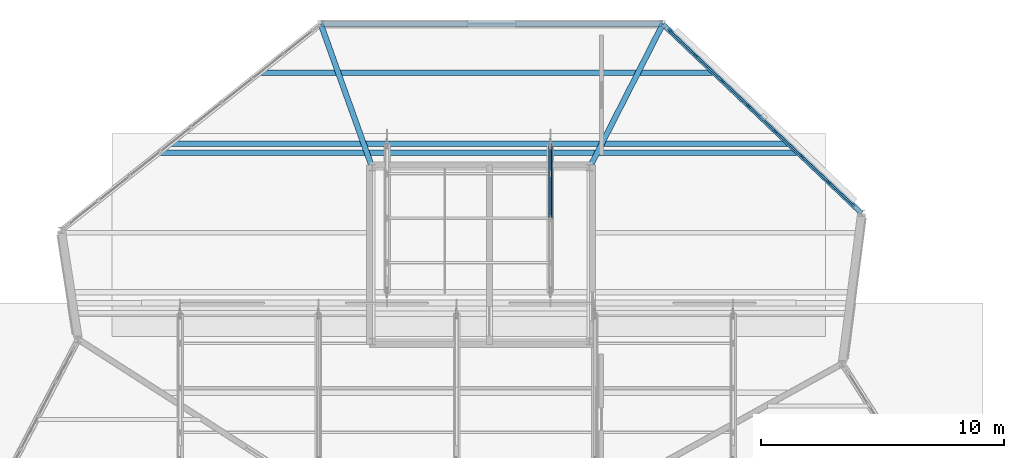
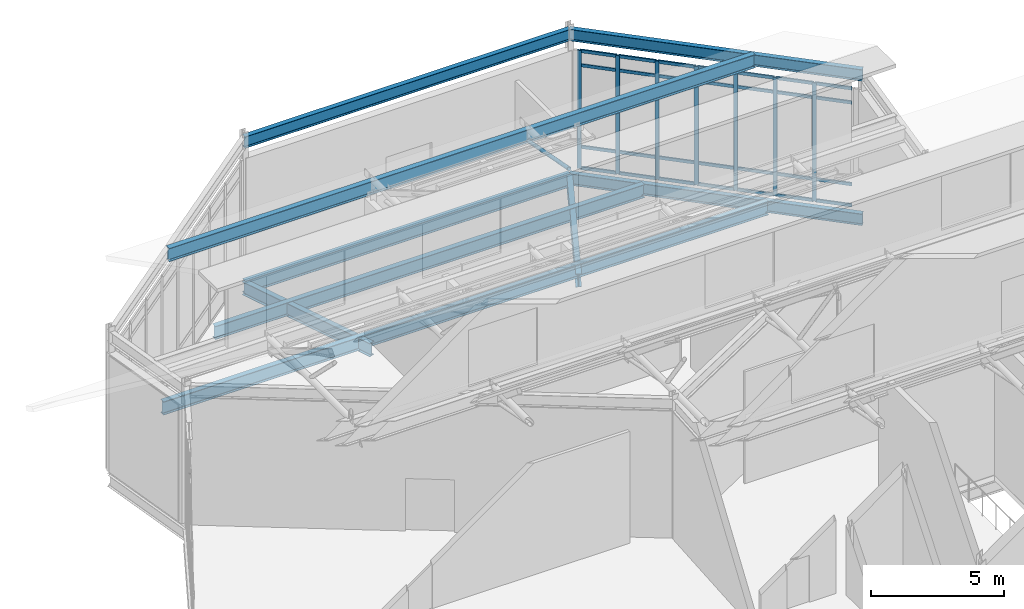
# One storey, part 37 of 55: 36 members, 9 beams, 1 element without a shape of its own.
"""IFC4 building model written with IfcOpenShell, lengths in metres."""

from ifc_helpers import new_model, si_unit, direction, frame, origin, origin_2d, place, context, subcontext, project, spatial, rectangle, hollow_circle, i_section, extrude, material, material_profile, profile_set, type_object, element, aggregate, save


model = new_model("IFC4")

# Units and contexts
model_context = context("Model", 3, precision=1e-05, world=origin(), true_north=direction((0.0, 1.0)))
body_context = subcontext(model_context, "Body", "Model", "MODEL_VIEW")
ifc_project = project(units=[si_unit("LENGTHUNIT", "METRE"), si_unit("AREAUNIT", "SQUARE_METRE"), si_unit("VOLUMEUNIT", "CUBIC_METRE"), si_unit("PLANEANGLEUNIT", "RADIAN"), si_unit("MASSUNIT", "GRAM", prefix="KILO")], contexts=[model_context])

# Site, building, storey
site_placement = place(None, origin())
site = spatial("IfcSite", under=ifc_project, at=site_placement, CompositionType="ELEMENT")
building_placement = place(site_placement, origin())
building = spatial("IfcBuilding", under=site, at=building_placement, Name="Tameran Prism Museum", CompositionType="ELEMENT")
storey_placement = place(building_placement, frame((0.0, 0.0, 28.800048828125)))
storey = spatial("IfcBuildingStorey", under=building, at=storey_placement, Name="L05", CompositionType="ELEMENT", Elevation=28.800048828125)

# Beams
ifc_material_1 = material(Name="Steel Grade 300PLUS (300 MPa)", Category="steel")
ifc_material_profile_1 = material_profile(ifc_material_1, i_section(OverallWidth=0.208984375, OverallDepth=0.532958984375, WebThickness=0.01025390625, FlangeThickness=0.015625, FilletRadius=0.013916015625, at=origin_2d()))
ifc_profile_set_1 = profile_set([ifc_material_profile_1])
beam_type_1 = type_object("IfcBeamType", Name="BM-SP530A", PredefinedType="SPANDREL", material=ifc_profile_set_1)
beam_1_placement = place(storey_placement, frame((135.699951171875, 104.199951171875, -0.506591796875), z_axis=(-0.724553857676, 0.689218185575, 0.0), x_axis=(-0.689218185575, -0.724553857676, 0.0)))
element("IfcBeam", 1, at=beam_1_placement, inside=storey, type_object=beam_type_1, Name="Perimeter Spandrel SP-1262", PredefinedType="SPANDREL", context=body_context, shape_type="SweptSolid", body=[
    extrude(i_section(OverallWidth=0.208984375, OverallDepth=0.532958984375, WebThickness=0.01025390625, FlangeThickness=0.015625, FilletRadius=0.013916015625, at=origin_2d()), origin(), (0.0, 0.0, 1.0), 11.317138671875),
])
ifc_material_2 = material(Name="Steel Grade 300PLUS (300 MPa)", Category="steel")
ifc_material_profile_2 = material_profile(ifc_material_2, i_section(OverallWidth=0.208984375, OverallDepth=0.528076171875, WebThickness=0.009521484375, FlangeThickness=0.01318359375, FilletRadius=0.013916015625, at=origin_2d()))
ifc_profile_set_2 = profile_set([ifc_material_profile_2])
beam_type_2 = type_object("IfcBeamType", Name="BM-SP530B", PredefinedType="SPANDREL", material=ifc_profile_set_2)
beam_2_placement = place(storey_placement, frame((135.699951171875, 104.199951171875, 6.10595703125), z_axis=(-0.724553857676, 0.689218185575, 0.0), x_axis=(-0.689218185575, -0.724553857676, 0.0)))
element("IfcBeam", 2, at=beam_2_placement, inside=storey, type_object=beam_type_2, Name="Roof Ring Beam RB-1267", PredefinedType="SPANDREL", context=body_context, shape_type="SweptSolid", body=[
    extrude(i_section(OverallWidth=0.208984375, OverallDepth=0.528076171875, WebThickness=0.009521484375, FlangeThickness=0.01318359375, FilletRadius=0.013916015625, at=origin_2d()), origin(), (0.0, 0.0, 1.0), 11.317138671875),
])
beam_3_placement = place(storey_placement, frame((127.5, 112.0, 6.10595703125), z_axis=(-1.0, 0.0, 0.0), x_axis=(0.0, -1.0, 0.0)))
element("IfcBeam", 3, at=beam_3_placement, inside=storey, type_object=beam_type_2, Name="Roof Ring Beam RB-1268", PredefinedType="SPANDREL", context=body_context, shape_type="SweptSolid", body=[
    extrude(i_section(OverallWidth=0.208984375, OverallDepth=0.528076171875, WebThickness=0.009521484375, FlangeThickness=0.01318359375, FilletRadius=0.013916015625, at=origin_2d()), origin(), (0.0, 0.0, 1.0), 14.10009765625),
])
ifc_material_3 = material(Name="Steel Grade 300PLUS (300 MPa)", Category="steel")
ifc_material_profile_3 = material_profile(ifc_material_3, i_section(OverallWidth=0.22802734375, OverallDepth=0.60205078125, WebThickness=0.010498046875, FlangeThickness=0.014892578125, FilletRadius=0.013916015625, at=origin_2d()))
ifc_profile_set_3 = profile_set([ifc_material_profile_3])
beam_type_3 = type_object("IfcBeamType", Name="BM-SP610", PredefinedType="SPANDREL", material=ifc_profile_set_3)
beam_4_placement = place(storey_placement, frame((127.5, 112.0, -0.541015625), z_axis=(-1.0, 0.0, 0.0), x_axis=(0.0, -1.0, 0.0)))
element("IfcBeam", 4, at=beam_4_placement, inside=storey, type_object=beam_type_3, Name="Perimeter Spandrel SP-1263", PredefinedType="SPANDREL", context=body_context, shape_type="SweptSolid", body=[
    extrude(i_section(OverallWidth=0.22802734375, OverallDepth=0.60205078125, WebThickness=0.010498046875, FlangeThickness=0.014892578125, FilletRadius=0.013916015625, at=origin_2d()), origin(), (0.0, 0.0, 1.0), 14.10009765625),
])
ifc_material_4 = material(Name="Steel Grade 300PLUS (300 MPa)", Category="steel")
ifc_material_profile_4 = material_profile(ifc_material_4, i_section(OverallWidth=0.22900390625, OverallDepth=0.612060546875, WebThickness=0.011962890625, FlangeThickness=0.01953125, FilletRadius=0.013916015625, at=origin_2d()))
ifc_profile_set_4 = profile_set([ifc_material_profile_4])
beam_type_4 = type_object("IfcBeamType", Name="BM-UB610A", PredefinedType="BEAM", material=ifc_profile_set_4)
beam_5_placement = place(storey_placement, frame((107.24609375, 107.06005859375, 6.10595703125), z_axis=(1.0, 0.0, 0.0), x_axis=(0.0, 1.0, 0.0)))
element("IfcBeam", 5, at=beam_5_placement, inside=storey, type_object=beam_type_4, Name="Sawtooth Support Girder SRG-029", PredefinedType="BEAM", context=body_context, shape_type="SweptSolid", body=[
    extrude(i_section(OverallWidth=0.22900390625, OverallDepth=0.612060546875, WebThickness=0.011962890625, FlangeThickness=0.01953125, FilletRadius=0.013916015625, at=origin_2d()), origin(), (0.0, 0.0, 1.0), 25.388916015625),
])
beam_6_placement = place(storey_placement, frame((124.47998046875, 106.080078125, -0.56005859375), z_axis=(0.454428700182, 0.890783114148, 0.0), x_axis=(-0.890783114148, 0.454428700182, 0.0)))
element("IfcBeam", 6, at=beam_6_placement, inside=storey, type_object=beam_type_4, Name="Frame Tie Girder FG-1403", PredefinedType="BEAM", context=body_context, shape_type="SweptSolid", body=[
    extrude(i_section(OverallWidth=0.22900390625, OverallDepth=0.612060546875, WebThickness=0.011962890625, FlangeThickness=0.01953125, FilletRadius=0.013916015625, at=origin_2d()), origin(), (0.0, 0.0, 1.0), 6.645751953125),
])
beam_7_placement = place(storey_placement, frame((115.52001953125, 106.080078125, -0.56005859375), z_axis=(-0.337162675886, 0.941446403142, 0.0), x_axis=(-0.941446403142, -0.337162675886, 0.0)))
element("IfcBeam", 7, at=beam_7_placement, inside=storey, type_object=beam_type_4, Name="Frame Tie Girder FG-1409", PredefinedType="BEAM", context=body_context, shape_type="SweptSolid", body=[
    extrude(i_section(OverallWidth=0.22900390625, OverallDepth=0.612060546875, WebThickness=0.011962890625, FlangeThickness=0.01953125, FilletRadius=0.013916015625, at=origin_2d()), origin(), (0.0, 0.0, 1.0), 6.2880859375),
])
ifc_material_5 = material(Name="Steel Grade 300PLUS (300 MPa)", Category="steel")
ifc_material_profile_5 = material_profile(ifc_material_5, i_section(OverallWidth=0.22802734375, OverallDepth=0.60693359375, WebThickness=0.01123046875, FlangeThickness=0.017333984375, FilletRadius=0.013916015625, at=origin_2d()))
ifc_profile_set_5 = profile_set([ifc_material_profile_5])
beam_type_5 = type_object("IfcBeamType", Name="BM-UB610B", PredefinedType="BEAM", material=ifc_profile_set_5)
beam_8_placement = place(storey_placement, frame((106.79296875, 106.699951171875, -0.54345703125), z_axis=(1.0, 0.0, 0.0), x_axis=(0.0, 1.0, 0.0)))
element("IfcBeam", 8, at=beam_8_placement, inside=storey, type_object=beam_type_5, Name="Floor Beam BM-1313", PredefinedType="BEAM", context=body_context, shape_type="SweptSolid", body=[
    extrude(i_section(OverallWidth=0.22802734375, OverallDepth=0.60693359375, WebThickness=0.01123046875, FlangeThickness=0.017333984375, FilletRadius=0.013916015625, at=origin_2d()), origin(), (0.0, 0.0, 1.0), 26.220947265625),
])
beam_9_placement = place(storey_placement, frame((110.947021484375, 110.0, -0.54345703125), z_axis=(1.0, 0.0, 0.0), x_axis=(0.0, 1.0, 0.0)))
element("IfcBeam", 9, at=beam_9_placement, inside=storey, type_object=beam_type_5, Name="Floor Beam BM-1314", PredefinedType="BEAM", context=body_context, shape_type="SweptSolid", body=[
    extrude(i_section(OverallWidth=0.22802734375, OverallDepth=0.60693359375, WebThickness=0.01123046875, FlangeThickness=0.017333984375, FilletRadius=0.013916015625, at=origin_2d()), origin(), (0.0, 0.0, 1.0), 18.597900390625),
])

# Curtain wall, members
ifc_material_6 = material(Name="Anodised Aluminium 6063-T6 and Cyclone Solar Glass", Category="aluminium")
curtain_wall_type = type_object("IfcCurtainWallType", Name="CW-FAC-1062x542", PredefinedType="USERDEFINED", material=ifc_material_6)
curtain_wall_placement = place(storey_placement, origin())
curtain_wall = element("IfcCurtainWall", 10, at=curtain_wall_placement, inside=storey, type_object=curtain_wall_type, Name="Unitised Curtain Wall CW-167", ObjectType="UNITISED CURTAIN WALL", PredefinedType="USERDEFINED")
ifc_material_7 = material(Name="Anodised Aluminium Alloy 6063-T6", Category="aluminium")
ifc_material_profile_6 = material_profile(ifc_material_7, rectangle(XDim=0.06494140625, YDim=0.159912109375, at=origin_2d()))
ifc_profile_set_6 = profile_set([ifc_material_profile_6])
member_type_1 = type_object("IfcMemberType", Name="CW-MUL-A", PredefinedType="MULLION", material=ifc_profile_set_6)
member_1_placement = place(storey_placement, frame((127.777587890625, 111.736572265625, 0.0), z_axis=(0.0, 0.0, 1.0), x_axis=(0.689274065662, 0.724500698692, 0.0)))
member_1 = element("IfcMember", 11, at=member_1_placement, type_object=member_type_1, Name="CW-167 mullion 1", PredefinedType="MULLION", context=body_context, shape_type="SweptSolid", body=[
    extrude(rectangle(XDim=0.06494140625, YDim=0.159912109375, at=origin_2d()), origin(), (0.0, 0.0, 1.0), 5.419921875),
])
member_2_placement = place(storey_placement, frame((128.852783203125, 110.713623046875, 0.0), z_axis=(0.0, 0.0, 1.0), x_axis=(0.689274065662, 0.724500698692, 0.0)))
member_2 = element("IfcMember", 12, at=member_2_placement, type_object=member_type_1, Name="CW-167 mullion 2", PredefinedType="MULLION", context=body_context, shape_type="SweptSolid", body=[
    extrude(rectangle(XDim=0.06494140625, YDim=0.159912109375, at=origin_2d()), origin(), (0.0, 0.0, 1.0), 5.419921875),
])
member_3_placement = place(storey_placement, frame((129.95166015625, 109.668212890625, 0.0), z_axis=(0.0, 0.0, 1.0), x_axis=(0.689274065662, 0.724500698692, 0.0)))
member_3 = element("IfcMember", 13, at=member_3_placement, type_object=member_type_1, Name="CW-167 mullion 3", PredefinedType="MULLION", context=body_context, shape_type="SweptSolid", body=[
    extrude(rectangle(XDim=0.06494140625, YDim=0.159912109375, at=origin_2d()), origin(), (0.0, 0.0, 1.0), 5.419921875),
])
member_4_placement = place(storey_placement, frame((131.050537109375, 108.622802734375, 0.0), z_axis=(0.0, 0.0, 1.0), x_axis=(0.689274065662, 0.724500698692, 0.0)))
member_4 = element("IfcMember", 14, at=member_4_placement, type_object=member_type_1, Name="CW-167 mullion 4", PredefinedType="MULLION", context=body_context, shape_type="SweptSolid", body=[
    extrude(rectangle(XDim=0.06494140625, YDim=0.159912109375, at=origin_2d()), origin(), (0.0, 0.0, 1.0), 5.419921875),
])
member_5_placement = place(storey_placement, frame((132.1494140625, 107.577392578125, 0.0), z_axis=(0.0, 0.0, 1.0), x_axis=(0.689274065662, 0.724500698692, 0.0)))
member_5 = element("IfcMember", 15, at=member_5_placement, type_object=member_type_1, Name="CW-167 mullion 5", PredefinedType="MULLION", context=body_context, shape_type="SweptSolid", body=[
    extrude(rectangle(XDim=0.06494140625, YDim=0.159912109375, at=origin_2d()), origin(), (0.0, 0.0, 1.0), 5.419921875),
])
member_6_placement = place(storey_placement, frame((133.248291015625, 106.53173828125, 0.0), z_axis=(0.0, 0.0, 1.0), x_axis=(0.689274065662, 0.724500698692, 0.0)))
member_6 = element("IfcMember", 16, at=member_6_placement, type_object=member_type_1, Name="CW-167 mullion 6", PredefinedType="MULLION", context=body_context, shape_type="SweptSolid", body=[
    extrude(rectangle(XDim=0.06494140625, YDim=0.159912109375, at=origin_2d()), origin(), (0.0, 0.0, 1.0), 5.419921875),
])
member_7_placement = place(storey_placement, frame((134.34716796875, 105.486328125, 0.0), z_axis=(0.0, 0.0, 1.0), x_axis=(0.689274065662, 0.724500698692, 0.0)))
member_7 = element("IfcMember", 17, at=member_7_placement, type_object=member_type_1, Name="CW-167 mullion 7", PredefinedType="MULLION", context=body_context, shape_type="SweptSolid", body=[
    extrude(rectangle(XDim=0.06494140625, YDim=0.159912109375, at=origin_2d()), origin(), (0.0, 0.0, 1.0), 5.419921875),
])
ifc_material_8 = material(Name="Anodised Aluminium Alloy 6063-T6", Category="aluminium")
ifc_material_profile_7 = material_profile(ifc_material_8, rectangle(XDim=0.06494140625, YDim=0.139892578125, at=origin_2d()))
ifc_profile_set_7 = profile_set([ifc_material_profile_7])
member_type_2 = type_object("IfcMemberType", Name="CW-TRN-A", PredefinedType="USERDEFINED", material=ifc_profile_set_7)
member_8_placement = place(storey_placement, frame((127.801025390625, 111.714111328125, 0.032470703125), z_axis=(0.72460415768, -0.689165302865, 0.0), x_axis=(0.689165302865, 0.72460415768, 0.0)))
member_8 = element("IfcMember", 18, at=member_8_placement, type_object=member_type_2, Name="CW-167 transom 1.1", ObjectType="TRANSOM", PredefinedType="USERDEFINED", context=body_context, shape_type="SweptSolid", body=[
    extrude(rectangle(XDim=0.06494140625, YDim=0.139892578125, at=origin_2d()), origin(), (0.0, 0.0, 1.0), 1.419189453125),
])
member_9_placement = place(storey_placement, frame((127.801025390625, 111.714111328125, 1.0), z_axis=(0.72460415768, -0.689165302865, 0.0), x_axis=(0.689165302865, 0.72460415768, 0.0)))
member_9 = element("IfcMember", 19, at=member_9_placement, type_object=member_type_2, Name="CW-167 transom 1.2", ObjectType="TRANSOM", PredefinedType="USERDEFINED", context=body_context, shape_type="SweptSolid", body=[
    extrude(rectangle(XDim=0.06494140625, YDim=0.139892578125, at=origin_2d()), origin(), (0.0, 0.0, 1.0), 1.419189453125),
])
member_10_placement = place(storey_placement, frame((127.801025390625, 111.714111328125, 4.739990234375), z_axis=(0.72460415768, -0.689165302865, 0.0), x_axis=(0.689165302865, 0.72460415768, 0.0)))
member_10 = element("IfcMember", 20, at=member_10_placement, type_object=member_type_2, Name="CW-167 transom 1.3", ObjectType="TRANSOM", PredefinedType="USERDEFINED", context=body_context, shape_type="SweptSolid", body=[
    extrude(rectangle(XDim=0.06494140625, YDim=0.139892578125, at=origin_2d()), origin(), (0.0, 0.0, 1.0), 1.419189453125),
])
member_11_placement = place(storey_placement, frame((127.801025390625, 111.714111328125, 5.387451171875), z_axis=(0.72460415768, -0.689165302865, 0.0), x_axis=(0.689165302865, 0.72460415768, 0.0)))
member_11 = element("IfcMember", 21, at=member_11_placement, type_object=member_type_2, Name="CW-167 transom 1.4", ObjectType="TRANSOM", PredefinedType="USERDEFINED", context=body_context, shape_type="SweptSolid", body=[
    extrude(rectangle(XDim=0.06494140625, YDim=0.139892578125, at=origin_2d()), origin(), (0.0, 0.0, 1.0), 1.419189453125),
])
member_12_placement = place(storey_placement, frame((128.87646484375, 110.691162109375, 0.032470703125), z_axis=(0.724461786849, -0.689314963856, 0.0), x_axis=(0.689314963856, 0.724461786849, 0.0)))
member_12 = element("IfcMember", 22, at=member_12_placement, type_object=member_type_2, Name="CW-167 transom 2.1", ObjectType="TRANSOM", PredefinedType="USERDEFINED", context=body_context, shape_type="SweptSolid", body=[
    extrude(rectangle(XDim=0.06494140625, YDim=0.139892578125, at=origin_2d()), origin(), (0.0, 0.0, 1.0), 1.45166015625),
])
member_13_placement = place(storey_placement, frame((128.87646484375, 110.691162109375, 1.0), z_axis=(0.724461786849, -0.689314963856, 0.0), x_axis=(0.689314963856, 0.724461786849, 0.0)))
member_13 = element("IfcMember", 23, at=member_13_placement, type_object=member_type_2, Name="CW-167 transom 2.2", ObjectType="TRANSOM", PredefinedType="USERDEFINED", context=body_context, shape_type="SweptSolid", body=[
    extrude(rectangle(XDim=0.06494140625, YDim=0.139892578125, at=origin_2d()), origin(), (0.0, 0.0, 1.0), 1.45166015625),
])
member_14_placement = place(storey_placement, frame((128.87646484375, 110.691162109375, 4.739990234375), z_axis=(0.724461786849, -0.689314963856, 0.0), x_axis=(0.689314963856, 0.724461786849, 0.0)))
member_14 = element("IfcMember", 24, at=member_14_placement, type_object=member_type_2, Name="CW-167 transom 2.3", ObjectType="TRANSOM", PredefinedType="USERDEFINED", context=body_context, shape_type="SweptSolid", body=[
    extrude(rectangle(XDim=0.06494140625, YDim=0.139892578125, at=origin_2d()), origin(), (0.0, 0.0, 1.0), 1.45166015625),
])
member_15_placement = place(storey_placement, frame((128.87646484375, 110.691162109375, 5.387451171875), z_axis=(0.724461786849, -0.689314963856, 0.0), x_axis=(0.689314963856, 0.724461786849, 0.0)))
member_15 = element("IfcMember", 25, at=member_15_placement, type_object=member_type_2, Name="CW-167 transom 2.4", ObjectType="TRANSOM", PredefinedType="USERDEFINED", context=body_context, shape_type="SweptSolid", body=[
    extrude(rectangle(XDim=0.06494140625, YDim=0.139892578125, at=origin_2d()), origin(), (0.0, 0.0, 1.0), 1.45166015625),
])
member_16_placement = place(storey_placement, frame((129.975341796875, 109.645751953125, 0.032470703125), z_axis=(0.724461786849, -0.689314963856, 0.0), x_axis=(0.689314963856, 0.724461786849, 0.0)))
member_16 = element("IfcMember", 26, at=member_16_placement, type_object=member_type_2, Name="CW-167 transom 3.1", ObjectType="TRANSOM", PredefinedType="USERDEFINED", context=body_context, shape_type="SweptSolid", body=[
    extrude(rectangle(XDim=0.06494140625, YDim=0.139892578125, at=origin_2d()), origin(), (0.0, 0.0, 1.0), 1.45166015625),
])
member_17_placement = place(storey_placement, frame((129.975341796875, 109.645751953125, 1.0), z_axis=(0.724461786849, -0.689314963856, 0.0), x_axis=(0.689314963856, 0.724461786849, 0.0)))
member_17 = element("IfcMember", 27, at=member_17_placement, type_object=member_type_2, Name="CW-167 transom 3.2", ObjectType="TRANSOM", PredefinedType="USERDEFINED", context=body_context, shape_type="SweptSolid", body=[
    extrude(rectangle(XDim=0.06494140625, YDim=0.139892578125, at=origin_2d()), origin(), (0.0, 0.0, 1.0), 1.45166015625),
])
member_18_placement = place(storey_placement, frame((129.975341796875, 109.645751953125, 4.739990234375), z_axis=(0.724461786849, -0.689314963856, 0.0), x_axis=(0.689314963856, 0.724461786849, 0.0)))
member_18 = element("IfcMember", 28, at=member_18_placement, type_object=member_type_2, Name="CW-167 transom 3.3", ObjectType="TRANSOM", PredefinedType="USERDEFINED", context=body_context, shape_type="SweptSolid", body=[
    extrude(rectangle(XDim=0.06494140625, YDim=0.139892578125, at=origin_2d()), origin(), (0.0, 0.0, 1.0), 1.45166015625),
])
member_19_placement = place(storey_placement, frame((129.975341796875, 109.645751953125, 5.387451171875), z_axis=(0.724461786849, -0.689314963856, 0.0), x_axis=(0.689314963856, 0.724461786849, 0.0)))
member_19 = element("IfcMember", 29, at=member_19_placement, type_object=member_type_2, Name="CW-167 transom 3.4", ObjectType="TRANSOM", PredefinedType="USERDEFINED", context=body_context, shape_type="SweptSolid", body=[
    extrude(rectangle(XDim=0.06494140625, YDim=0.139892578125, at=origin_2d()), origin(), (0.0, 0.0, 1.0), 1.45166015625),
])
member_20_placement = place(storey_placement, frame((131.07421875, 108.600341796875, 0.032470703125), z_axis=(0.724461786849, -0.689314963856, 0.0), x_axis=(0.689314963856, 0.724461786849, 0.0)))
member_20 = element("IfcMember", 30, at=member_20_placement, type_object=member_type_2, Name="CW-167 transom 4.1", ObjectType="TRANSOM", PredefinedType="USERDEFINED", context=body_context, shape_type="SweptSolid", body=[
    extrude(rectangle(XDim=0.06494140625, YDim=0.139892578125, at=origin_2d()), origin(), (0.0, 0.0, 1.0), 1.45166015625),
])
member_21_placement = place(storey_placement, frame((131.07421875, 108.600341796875, 1.0), z_axis=(0.724461786849, -0.689314963856, 0.0), x_axis=(0.689314963856, 0.724461786849, 0.0)))
member_21 = element("IfcMember", 31, at=member_21_placement, type_object=member_type_2, Name="CW-167 transom 4.2", ObjectType="TRANSOM", PredefinedType="USERDEFINED", context=body_context, shape_type="SweptSolid", body=[
    extrude(rectangle(XDim=0.06494140625, YDim=0.139892578125, at=origin_2d()), origin(), (0.0, 0.0, 1.0), 1.45166015625),
])
member_22_placement = place(storey_placement, frame((131.07421875, 108.600341796875, 4.739990234375), z_axis=(0.724461786849, -0.689314963856, 0.0), x_axis=(0.689314963856, 0.724461786849, 0.0)))
member_22 = element("IfcMember", 32, at=member_22_placement, type_object=member_type_2, Name="CW-167 transom 4.3", ObjectType="TRANSOM", PredefinedType="USERDEFINED", context=body_context, shape_type="SweptSolid", body=[
    extrude(rectangle(XDim=0.06494140625, YDim=0.139892578125, at=origin_2d()), origin(), (0.0, 0.0, 1.0), 1.45166015625),
])
member_23_placement = place(storey_placement, frame((131.07421875, 108.600341796875, 5.387451171875), z_axis=(0.724461786849, -0.689314963856, 0.0), x_axis=(0.689314963856, 0.724461786849, 0.0)))
member_23 = element("IfcMember", 33, at=member_23_placement, type_object=member_type_2, Name="CW-167 transom 4.4", ObjectType="TRANSOM", PredefinedType="USERDEFINED", context=body_context, shape_type="SweptSolid", body=[
    extrude(rectangle(XDim=0.06494140625, YDim=0.139892578125, at=origin_2d()), origin(), (0.0, 0.0, 1.0), 1.45166015625),
])
member_24_placement = place(storey_placement, frame((132.173095703125, 107.554931640625, 0.032470703125), z_axis=(0.724461786849, -0.689314963856, 0.0), x_axis=(0.689314963856, 0.724461786849, 0.0)))
member_24 = element("IfcMember", 34, at=member_24_placement, type_object=member_type_2, Name="CW-167 transom 5.1", ObjectType="TRANSOM", PredefinedType="USERDEFINED", context=body_context, shape_type="SweptSolid", body=[
    extrude(rectangle(XDim=0.06494140625, YDim=0.139892578125, at=origin_2d()), origin(), (0.0, 0.0, 1.0), 1.45166015625),
])
member_25_placement = place(storey_placement, frame((132.173095703125, 107.554931640625, 1.0), z_axis=(0.724461786849, -0.689314963856, 0.0), x_axis=(0.689314963856, 0.724461786849, 0.0)))
member_25 = element("IfcMember", 35, at=member_25_placement, type_object=member_type_2, Name="CW-167 transom 5.2", ObjectType="TRANSOM", PredefinedType="USERDEFINED", context=body_context, shape_type="SweptSolid", body=[
    extrude(rectangle(XDim=0.06494140625, YDim=0.139892578125, at=origin_2d()), origin(), (0.0, 0.0, 1.0), 1.45166015625),
])
member_26_placement = place(storey_placement, frame((132.173095703125, 107.554931640625, 4.739990234375), z_axis=(0.724461786849, -0.689314963856, 0.0), x_axis=(0.689314963856, 0.724461786849, 0.0)))
member_26 = element("IfcMember", 36, at=member_26_placement, type_object=member_type_2, Name="CW-167 transom 5.3", ObjectType="TRANSOM", PredefinedType="USERDEFINED", context=body_context, shape_type="SweptSolid", body=[
    extrude(rectangle(XDim=0.06494140625, YDim=0.139892578125, at=origin_2d()), origin(), (0.0, 0.0, 1.0), 1.45166015625),
])
member_27_placement = place(storey_placement, frame((132.173095703125, 107.554931640625, 5.387451171875), z_axis=(0.724461786849, -0.689314963856, 0.0), x_axis=(0.689314963856, 0.724461786849, 0.0)))
member_27 = element("IfcMember", 37, at=member_27_placement, type_object=member_type_2, Name="CW-167 transom 5.4", ObjectType="TRANSOM", PredefinedType="USERDEFINED", context=body_context, shape_type="SweptSolid", body=[
    extrude(rectangle(XDim=0.06494140625, YDim=0.139892578125, at=origin_2d()), origin(), (0.0, 0.0, 1.0), 1.45166015625),
])
member_28_placement = place(storey_placement, frame((133.271728515625, 106.509521484375, 0.032470703125), z_axis=(0.724461786849, -0.689314963856, 0.0), x_axis=(0.689314963856, 0.724461786849, 0.0)))
member_28 = element("IfcMember", 38, at=member_28_placement, type_object=member_type_2, Name="CW-167 transom 6.1", ObjectType="TRANSOM", PredefinedType="USERDEFINED", context=body_context, shape_type="SweptSolid", body=[
    extrude(rectangle(XDim=0.06494140625, YDim=0.139892578125, at=origin_2d()), origin(), (0.0, 0.0, 1.0), 1.45166015625),
])
member_29_placement = place(storey_placement, frame((133.271728515625, 106.509521484375, 1.0), z_axis=(0.724461786849, -0.689314963856, 0.0), x_axis=(0.689314963856, 0.724461786849, 0.0)))
member_29 = element("IfcMember", 39, at=member_29_placement, type_object=member_type_2, Name="CW-167 transom 6.2", ObjectType="TRANSOM", PredefinedType="USERDEFINED", context=body_context, shape_type="SweptSolid", body=[
    extrude(rectangle(XDim=0.06494140625, YDim=0.139892578125, at=origin_2d()), origin(), (0.0, 0.0, 1.0), 1.45166015625),
])
member_30_placement = place(storey_placement, frame((133.271728515625, 106.509521484375, 4.739990234375), z_axis=(0.724461786849, -0.689314963856, 0.0), x_axis=(0.689314963856, 0.724461786849, 0.0)))
member_30 = element("IfcMember", 40, at=member_30_placement, type_object=member_type_2, Name="CW-167 transom 6.3", ObjectType="TRANSOM", PredefinedType="USERDEFINED", context=body_context, shape_type="SweptSolid", body=[
    extrude(rectangle(XDim=0.06494140625, YDim=0.139892578125, at=origin_2d()), origin(), (0.0, 0.0, 1.0), 1.45166015625),
])
member_31_placement = place(storey_placement, frame((133.271728515625, 106.509521484375, 5.387451171875), z_axis=(0.724461786849, -0.689314963856, 0.0), x_axis=(0.689314963856, 0.724461786849, 0.0)))
member_31 = element("IfcMember", 41, at=member_31_placement, type_object=member_type_2, Name="CW-167 transom 6.4", ObjectType="TRANSOM", PredefinedType="USERDEFINED", context=body_context, shape_type="SweptSolid", body=[
    extrude(rectangle(XDim=0.06494140625, YDim=0.139892578125, at=origin_2d()), origin(), (0.0, 0.0, 1.0), 1.45166015625),
])
member_32_placement = place(storey_placement, frame((134.37060546875, 105.464111328125, 0.032470703125), z_axis=(0.724518253628, -0.689255613078, 0.0), x_axis=(0.689255613078, 0.724518253628, 0.0)))
member_32 = element("IfcMember", 42, at=member_32_placement, type_object=member_type_2, Name="CW-167 transom 7.1", ObjectType="TRANSOM", PredefinedType="USERDEFINED", context=body_context, shape_type="SweptSolid", body=[
    extrude(rectangle(XDim=0.06494140625, YDim=0.139892578125, at=origin_2d()), origin(), (0.0, 0.0, 1.0), 1.41943359375),
])
member_33_placement = place(storey_placement, frame((134.37060546875, 105.464111328125, 1.0), z_axis=(0.724518253628, -0.689255613078, 0.0), x_axis=(0.689255613078, 0.724518253628, 0.0)))
member_33 = element("IfcMember", 43, at=member_33_placement, type_object=member_type_2, Name="CW-167 transom 7.2", ObjectType="TRANSOM", PredefinedType="USERDEFINED", context=body_context, shape_type="SweptSolid", body=[
    extrude(rectangle(XDim=0.06494140625, YDim=0.139892578125, at=origin_2d()), origin(), (0.0, 0.0, 1.0), 1.41943359375),
])
member_34_placement = place(storey_placement, frame((134.37060546875, 105.464111328125, 4.739990234375), z_axis=(0.724518253628, -0.689255613078, 0.0), x_axis=(0.689255613078, 0.724518253628, 0.0)))
member_34 = element("IfcMember", 44, at=member_34_placement, type_object=member_type_2, Name="CW-167 transom 7.3", ObjectType="TRANSOM", PredefinedType="USERDEFINED", context=body_context, shape_type="SweptSolid", body=[
    extrude(rectangle(XDim=0.06494140625, YDim=0.139892578125, at=origin_2d()), origin(), (0.0, 0.0, 1.0), 1.41943359375),
])
member_35_placement = place(storey_placement, frame((134.37060546875, 105.464111328125, 5.387451171875), z_axis=(0.724518253628, -0.689255613078, 0.0), x_axis=(0.689255613078, 0.724518253628, 0.0)))
member_35 = element("IfcMember", 45, at=member_35_placement, type_object=member_type_2, Name="CW-167 transom 7.4", ObjectType="TRANSOM", PredefinedType="USERDEFINED", context=body_context, shape_type="SweptSolid", body=[
    extrude(rectangle(XDim=0.06494140625, YDim=0.139892578125, at=origin_2d()), origin(), (0.0, 0.0, 1.0), 1.41943359375),
])
aggregate(curtain_wall, [member_1, member_2, member_3, member_4, member_5, member_6, member_7, member_8, member_9, member_10, member_11, member_12, member_13, member_14, member_15, member_16, member_17, member_18, member_19, member_20, member_21, member_22, member_23, member_24, member_25, member_26, member_27, member_28, member_29, member_30, member_31, member_32, member_33, member_34, member_35])

# Member
ifc_material_9 = material(Name="Steel Grade C350L0 (350 MPa)", Category="steel")
ifc_material_profile_8 = material_profile(ifc_material_9, hollow_circle(Radius=0.084228515625, WallThickness=0.007080078125, at=origin_2d()))
ifc_profile_set_8 = profile_set([ifc_material_profile_8])
member_type_3 = type_object("IfcMemberType", Name="MM-BR-CHS168", PredefinedType="BRACE", material=ifc_profile_set_8)
member_36_placement = place(storey_placement, frame((122.866943359375, 104.0, 6.385986328125), z_axis=(0.0, 0.982674587879, -0.185339295177), x_axis=(-1.0, 0.0, 0.0)))
element("IfcMember", 46, at=member_36_placement, inside=storey, type_object=member_type_3, Name="Sawtooth Brace STM-0160", PredefinedType="BRACE", context=body_context, shape_type="SweptSolid", body=[
    extrude(hollow_circle(Radius=0.084228515625, WallThickness=0.007080078125, at=origin_2d()), origin(), (0.0, 0.0, 1.0), 3.114013671875),
])

save(model, "model.ifc")
